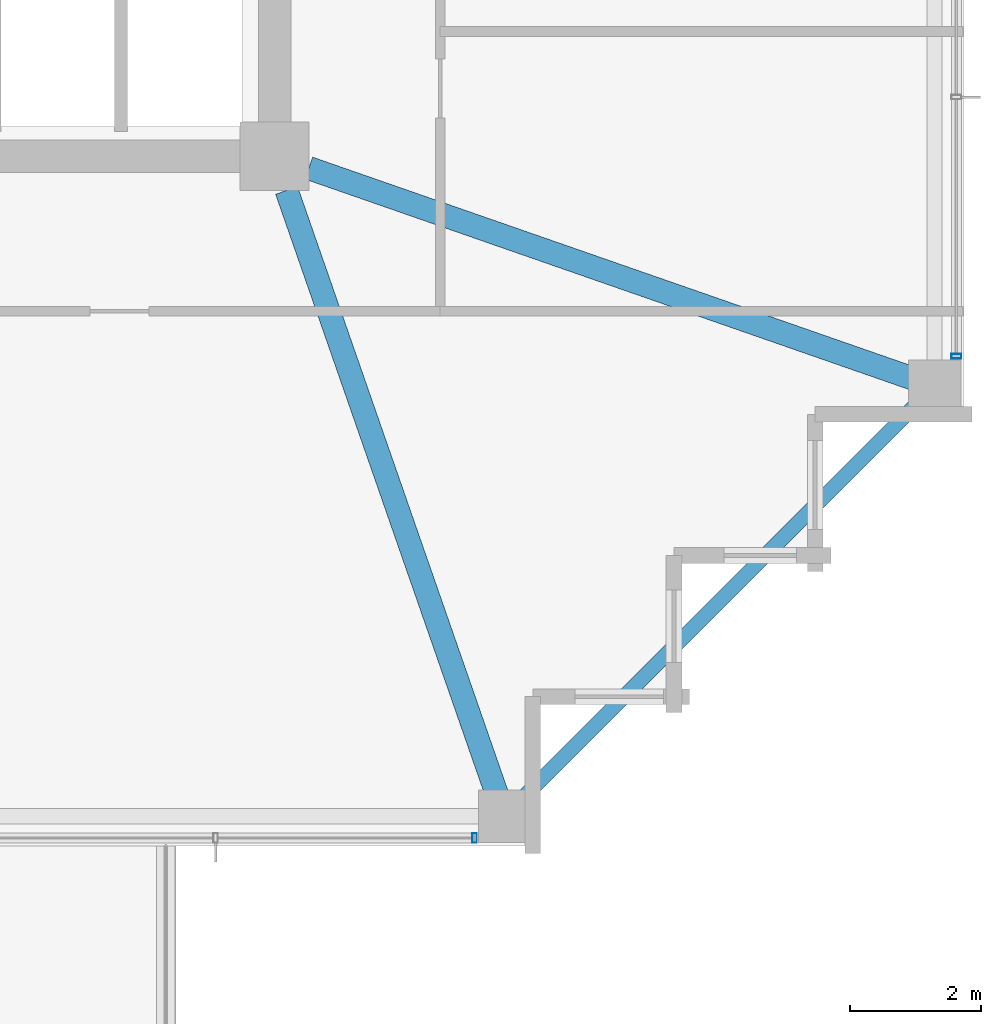
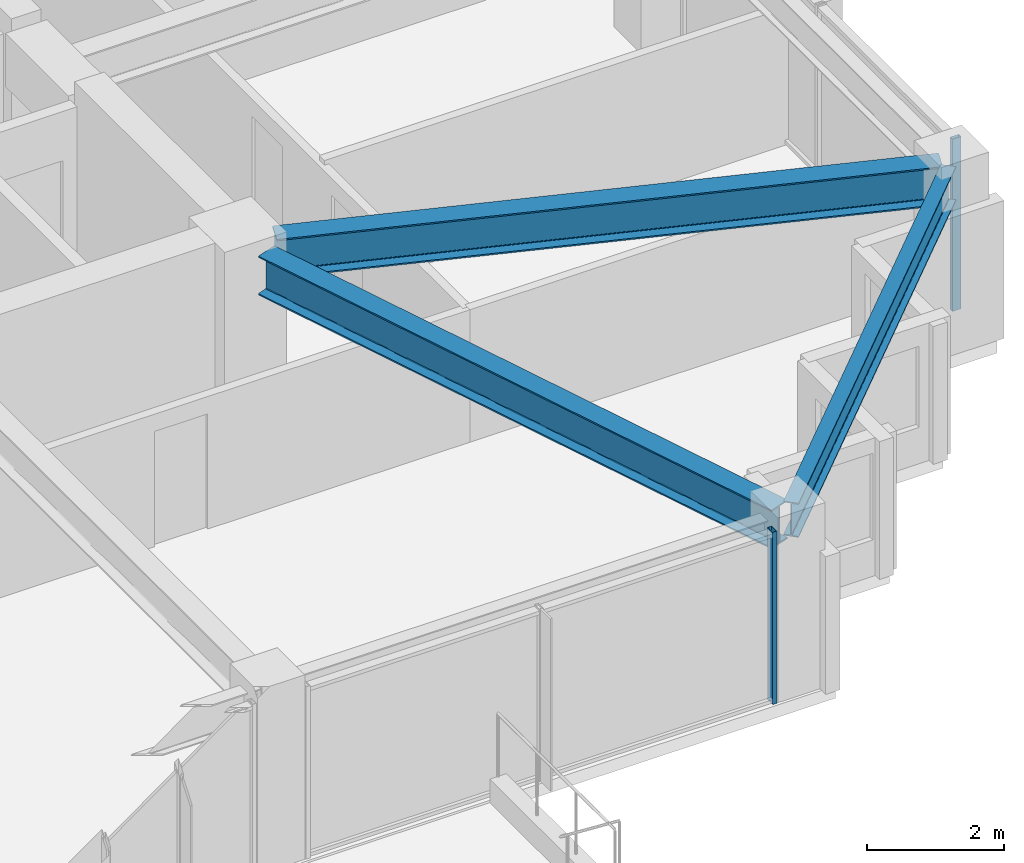
# One storey, part 11 of 36: 3 beams, 2 members, 2 elements without a shape of their own.
"""IFC4 building model written with IfcOpenShell, lengths in metres."""

from ifc_helpers import new_model, si_unit, direction, frame, origin, origin_2d, place, context, subcontext, project, spatial, hollow_rectangle, i_section, extrude, material, material_profile, profile_set, type_object, element, aggregate, save


model = new_model("IFC4")

# Units and contexts
model_context = context("Model", 3, precision=1e-05, world=origin(), true_north=direction((0.0, 1.0)))
body_context = subcontext(model_context, "Body", "Model", "MODEL_VIEW")
ifc_project = project(units=[si_unit("LENGTHUNIT", "METRE"), si_unit("AREAUNIT", "SQUARE_METRE"), si_unit("VOLUMEUNIT", "CUBIC_METRE"), si_unit("PLANEANGLEUNIT", "RADIAN"), si_unit("MASSUNIT", "GRAM", prefix="KILO")], contexts=[model_context])

# Site, building, storey
site_placement = place(None, origin())
site = spatial("IfcSite", under=ifc_project, at=site_placement, CompositionType="ELEMENT")
building_placement = place(site_placement, origin())
building = spatial("IfcBuilding", under=site, at=building_placement, Name="Kolvaren Belvedere", CompositionType="ELEMENT")
storey_placement = place(building_placement, frame((0.0, 0.0, 199.800048828125)))
storey = spatial("IfcBuildingStorey", under=building, at=storey_placement, Name="L58", CompositionType="ELEMENT", Elevation=199.800048828125)

# Beams
ifc_material_1 = material(Name="Structural steel ASTM A992 Grade 50", Category="steel")
ifc_material_profile_1 = material_profile(ifc_material_1, i_section(OverallWidth=0.35498046875, OverallDepth=0.696044921875, WebThickness=0.015380859375, FlangeThickness=0.02490234375, FilletRadius=0.02197265625, at=origin_2d()), Name="W27X146")
ifc_profile_set_1 = profile_set([ifc_material_profile_1], Name="Structural steel ASTM A992 Grade 50")
beam_type_1 = type_object("IfcBeamType", Name="BM-GIRD-W27X146", PredefinedType="BEAM", material=ifc_profile_set_1)
for number, where, z_axis, x_axis, name in (
    (1, (10.080810546875, -10.41943359375, 2.73193359375), (0.328898147971, -0.944365399758, 0.0), (0.944365399758, 0.328898147971, 0.0), "L58 Corner Core-to-Perimeter Girder CC2-S4"),
    (2, (10.41943359375, -10.080810546875, 2.73193359375), (0.944365399758, -0.328898147971, 0.0), (0.328898147971, 0.944365399758, 0.0), "L58 Corner Core-to-Perimeter Girder CC2-E1"),
):
    element("IfcBeam", number, at=place(storey_placement, frame(where, z_axis=z_axis, x_axis=x_axis)), inside=storey, type_object=beam_type_1, Name=name, PredefinedType="BEAM", context=body_context, shape_type="SweptSolid", body=[
        extrude(i_section(OverallWidth=0.35498046875, OverallDepth=0.696044921875, WebThickness=0.015380859375, FlangeThickness=0.02490234375, FilletRadius=0.02197265625, at=origin_2d()), origin(), (0.0, 0.0, 1.0), 9.931884765625),
    ])
ifc_material_2 = material(Name="Structural steel ASTM A992 Grade 50", Category="steel")
ifc_material_profile_2 = material_profile(ifc_material_2, i_section(OverallWidth=0.22900390625, OverallDepth=0.612060546875, WebThickness=0.011962890625, FlangeThickness=0.01953125, FilletRadius=0.01806640625, at=origin_2d()), Name="W24X84")
ifc_profile_set_2 = profile_set([ifc_material_profile_2], Name="Structural steel ASTM A992 Grade 50")
beam_type_2 = type_object("IfcBeamType", Name="BM-SPAN-W24X84", PredefinedType="SPANDREL", material=ifc_profile_set_2)
beam_placement = place(storey_placement, frame((13.52734375, -19.82275390625, 2.77392578125), z_axis=(0.707106781187, 0.707106781187, 0.0), x_axis=(-0.707106781187, 0.707106781187, 0.0)))
element("IfcBeam", 3, at=beam_placement, inside=storey, type_object=beam_type_2, Name="L58 Perimeter Spandrel S4-E1", PredefinedType="SPANDREL", context=body_context, shape_type="SweptSolid", body=[
    extrude(i_section(OverallWidth=0.22900390625, OverallDepth=0.612060546875, WebThickness=0.011962890625, FlangeThickness=0.01953125, FilletRadius=0.01806640625, at=origin_2d()), origin(), (0.0, 0.0, 1.0), 8.903076171875),
])

# Curtain wall, member
ifc_material_3 = material(Name="Anodised pale-metal aluminium AA 6063-T6", Category="aluminium")
curtain_wall_type = type_object("IfcCurtainWallType", Name="CW-Z5-HIGH", PredefinedType="NOTDEFINED", material=ifc_material_3)
curtain_wall_1_placement = place(storey_placement, origin())
curtain_wall_1 = element("IfcCurtainWall", 4, at=curtain_wall_1_placement, inside=storey, type_object=curtain_wall_type, Name="L58 Unitised Curtain Wall FCW-L58-S1-B1", PredefinedType="NOTDEFINED")
ifc_material_4 = material(Name="Anodised pale-metal aluminium AA 6063-T6", Category="aluminium")
ifc_material_profile_3 = material_profile(ifc_material_4, hollow_rectangle(XDim=0.070068359375, YDim=0.14990234375, WallThickness=0.004150390625, at=origin_2d()), Name="ALU-MUL-150X70")
ifc_profile_set_3 = profile_set([ifc_material_profile_3], Name="Anodised pale-metal aluminium AA 6063-T6")
member_type = type_object("IfcMemberType", Name="CW-MUL-150", PredefinedType="MULLION", material=ifc_profile_set_3)
member_1_placement = place(storey_placement, frame((12.945068359375, -20.280029296875, 0.0), z_axis=(0.0, 0.0, 1.0), x_axis=(1.0, 0.0, 0.0)))
member_1 = element("IfcMember", 5, at=member_1_placement, type_object=member_type, Name="FCW-L58-S1-B1 Unitised Mullion 1", PredefinedType="MULLION", context=body_context, shape_type="SweptSolid", body=[
    extrude(hollow_rectangle(XDim=0.070068359375, YDim=0.14990234375, WallThickness=0.004150390625, at=origin_2d()), origin(), (0.0, 0.0, 1.0), 3.079833984375),
])
aggregate(curtain_wall_1, [member_1])

curtain_wall_2_placement = place(storey_placement, origin())
curtain_wall_2 = element("IfcCurtainWall", 6, at=curtain_wall_2_placement, inside=storey, type_object=curtain_wall_type, Name="L58 Unitised Curtain Wall FCW-L58-E-B3", PredefinedType="NOTDEFINED")
member_2_placement = place(storey_placement, frame((20.280029296875, -12.945068359375, 0.0), z_axis=(0.0, 0.0, 1.0), x_axis=(0.0, 1.0, 0.0)))
member_2 = element("IfcMember", 7, at=member_2_placement, type_object=member_type, Name="FCW-L58-E-B3 Unitised Mullion 3", PredefinedType="MULLION", context=body_context, shape_type="SweptSolid", body=[
    extrude(hollow_rectangle(XDim=0.070068359375, YDim=0.14990234375, WallThickness=0.004150390625, at=origin_2d()), origin(), (0.0, 0.0, 1.0), 3.079833984375),
])
aggregate(curtain_wall_2, [member_2])

save(model, "model.ifc")
